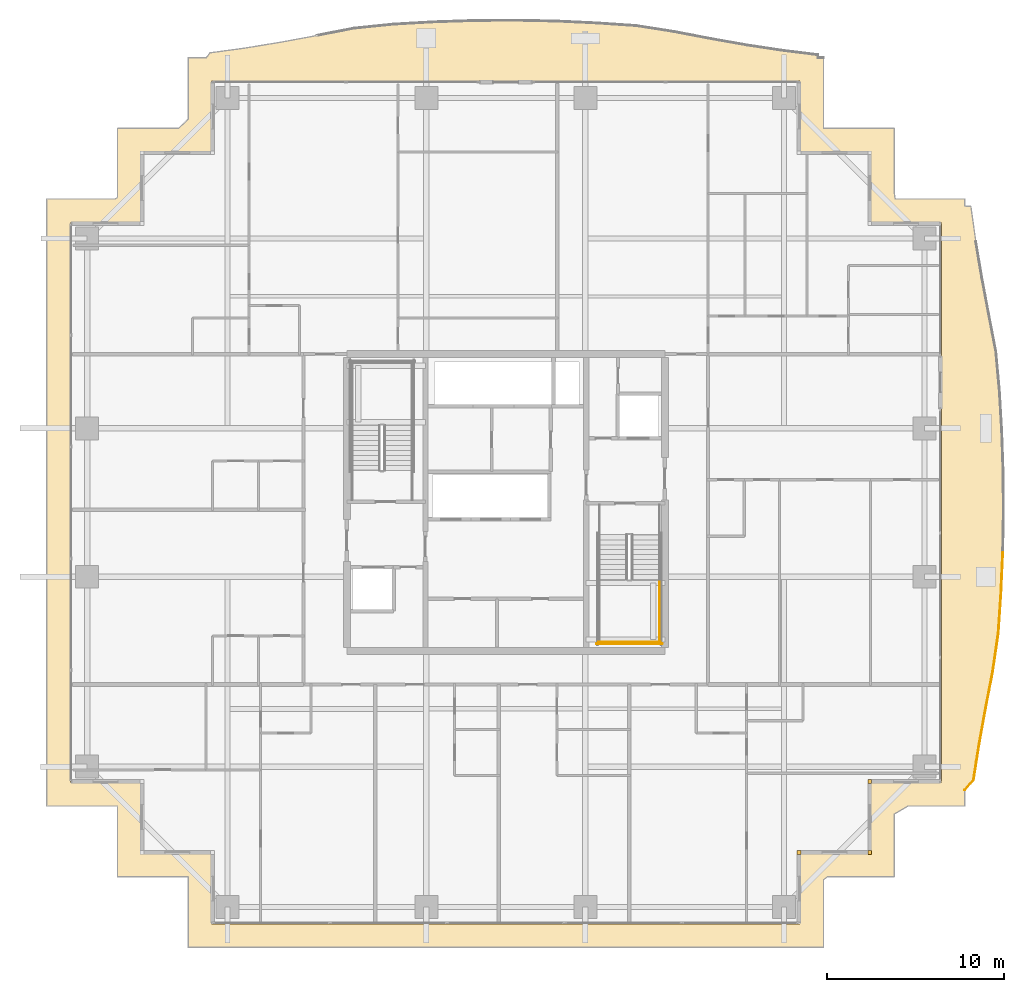
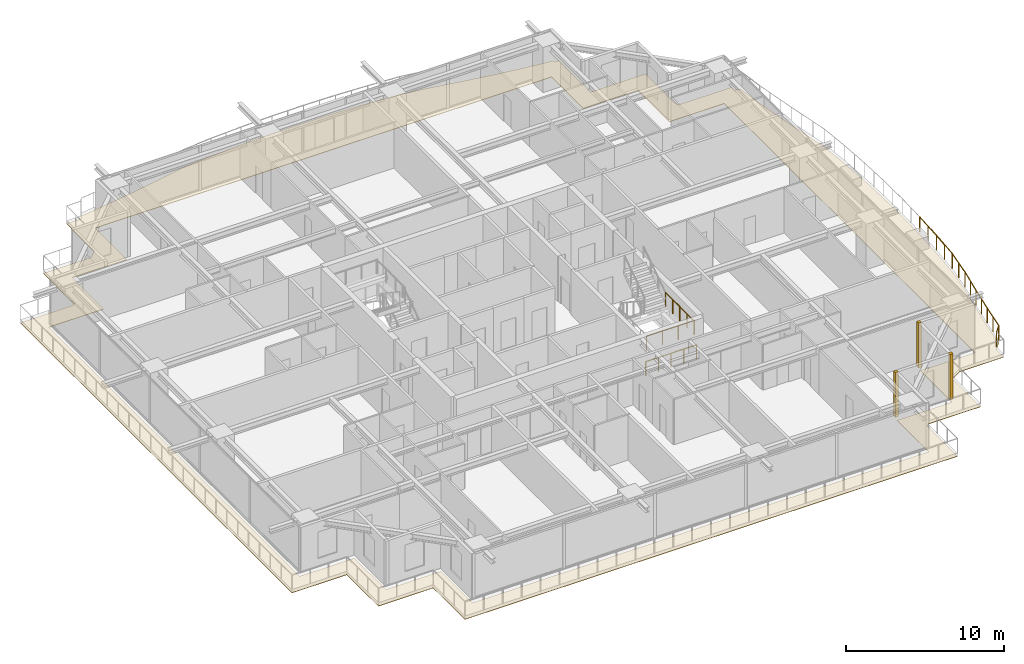
# One storey, part 31 of 33: 4 coverings, 4 railings.
"""IFC4 building model written with IfcOpenShell, lengths in metres."""

from ifc_helpers import new_model, si_unit, direction, frame, origin, origin_2d, place, context, subcontext, project, spatial, polyline, rectangle, circle, outline, extrude, source, transform, mapped, material, layer, layer_set, type_object, element, save


model = new_model("IFC4")

# Units and contexts
model_context = context("Model", 3, precision=1e-05, world=origin(), true_north=direction((0.0, 1.0)))
body_context = subcontext(model_context, "Body", "Model", "MODEL_VIEW")
ifc_project = project(units=[si_unit("LENGTHUNIT", "METRE"), si_unit("AREAUNIT", "SQUARE_METRE"), si_unit("VOLUMEUNIT", "CUBIC_METRE"), si_unit("PLANEANGLEUNIT", "RADIAN"), si_unit("MASSUNIT", "GRAM", prefix="KILO")], contexts=[model_context])

# Site, building, storey
site_placement = place(None, origin())
site = spatial("IfcSite", under=ifc_project, at=site_placement, CompositionType="ELEMENT")
building_placement = place(site_placement, origin())
building = spatial("IfcBuilding", under=site, at=building_placement, Name="Serunith Strait Residences", CompositionType="ELEMENT")
storey_placement = place(building_placement, frame((0.0, 0.0, 150.14990234375)))
storey = spatial("IfcBuildingStorey", under=building, at=storey_placement, Name="L37", CompositionType="ELEMENT", Elevation=150.14990234375)

# Covering
ifc_material_1 = material(Name="Golden Teak Exterior Timber Boarding", Category="wood")
ifc_layer_1 = layer(ifc_material_1, 0.034912109375, Name="Golden Teak Exterior Timber Boarding")
ifc_layer_set_1 = layer_set([ifc_layer_1], Name="Golden Teak Exterior Timber Boarding")
covering_type_1 = type_object("IfcCoveringType", Name="COV-TEAK-SOFFIT", PredefinedType="CEILING", material=ifc_layer_set_1)
covering_placement = place(storey_placement, frame((0.0, 0.0, -0.324951171875)))
element("IfcCovering", 1, at=covering_placement, inside=storey, type_object=covering_type_1, Name="L37 Golden-Teak Balcony Soffit Lining", PredefinedType="CEILING", context=body_context, shape_type="SweptSolid", body=[
    extrude(outline(polyline([(10.419921875, 46.3798828125), (13.880859375, 46.3798828125), (14.419921875, 46.89697265625), (14.419921875, 50.3798828125), (15.448974609375, 50.3798828125), (15.64501953125, 50.6533203125), (17.64501953125, 50.9267578125), (19.6630859375, 51.258056640625), (21.717041015625, 51.638671875), (23.827392578125, 52.0458984375), (26.04931640625, 52.271484375), (28.32373046875, 52.400390625), (30.62353515625, 52.476318359375), (32.93505859375, 52.4912109375), (35.24267578125, 52.444091796875), (37.531494140625, 52.33935546875), (39.789306640625, 52.1875), (41.95361328125, 51.845703125), (44.034912109375, 51.447021484375), (46.0693359375, 51.08837890625), (48.076904296875, 50.78466796875), (50.072998046875, 50.53857421875), (50.072021484375, 50.3798828125), (50.3798828125, 50.3798828125), (50.3798828125, 46.3798828125), (54.3798828125, 46.3798828125), (54.3798828125, 42.80078125), (54.44287109375, 42.3798828125), (58.3798828125, 42.3798828125), (58.3798828125, 41.983642578125), (58.723388671875, 41.964111328125), (59.0078125, 39.964111328125), (59.34814453125, 37.943603515625), (59.735107421875, 35.8857421875), (60.14453125, 33.771484375), (60.3466796875, 31.54296875), (60.479248046875, 29.27099609375), (60.55859375, 26.97412109375), (60.577392578125, 24.66552734375), (60.533447265625, 22.360107421875), (60.43115234375, 20.072509765625), (60.280517578125, 17.814208984375), (59.96484375, 15.63818359375), (59.5615234375, 13.551513671875), (59.193603515625, 11.5126953125), (58.87744140625, 9.503662109375), (58.3798828125, 8.923583984375), (58.3798828125, 8.02001953125), (55.158935546875, 8.02001953125), (54.3798828125, 7.55615234375), (54.3798828125, 4.02001953125), (50.601806640625, 4.02001953125), (50.3798828125, 3.8408203125), (50.3798828125, 0.02001953125), (14.419921875, 0.02001953125), (14.419921875, 4.02001953125), (10.419921875, 4.02001953125), (10.419921875, 8.02001953125), (6.419921875, 8.02001953125), (6.419921875, 42.3798828125), (10.284912109375, 42.3798828125), (10.419921875, 42.47802734375), (10.419921875, 46.3798828125)]), holes=[polyline([(49.054931640625, 1.344970703125), (49.054931640625, 5.344970703125), (53.054931640625, 5.344970703125), (53.054931640625, 9.344970703125), (57.054931640625, 9.344970703125), (57.054931640625, 41.054931640625), (53.054931640625, 41.054931640625), (53.054931640625, 45.054931640625), (49.054931640625, 45.054931640625), (49.054931640625, 49.054931640625), (15.7451171875, 49.054931640625), (15.7451171875, 45.054931640625), (11.7451171875, 45.054931640625), (11.7451171875, 41.054931640625), (7.7451171875, 41.054931640625), (7.7451171875, 9.344970703125), (11.7451171875, 9.344970703125), (11.7451171875, 5.344970703125), (15.7451171875, 5.344970703125), (15.7451171875, 1.344970703125), (49.054931640625, 1.344970703125)])]), origin(), (0.0, 0.0, 1.0), 0.03515625),
])

# Railings
ifc_material_2 = material(Name="Stainless Steel & Laminated Glass Balustrade", Category="steel")
railing_type_1 = type_object("IfcRailingType", Name="RLG-BALC-1150", PredefinedType="BALUSTRADE", material=ifc_material_2)
railing_1_placement = place(storey_placement, frame((60.533447265625, 22.360107421875, -0.0498046875)))
element("IfcRailing", 2, at=railing_1_placement, inside=storey, type_object=railing_type_1, Name="L37 Swirling Balcony Perimeter Balustrade 6", PredefinedType="BALUSTRADE", context=body_context, shape_type="SweptSolid", body=[
    extrude(circle(Radius=0.02392578125, at=origin_2d()), frame((0.0, -0.001953125, 1.1259765625), z_axis=(-0.044672540607, -0.99900168374, 0.0), x_axis=(0.99900168374, -0.044672540607, 0.0)), (0.0, 0.0, 1.0), 2.285888671875),
    extrude(circle(Radius=0.02392578125, at=origin_2d()), frame((-0.1025390625, -2.28955078125, 1.1259765625), z_axis=(-0.066554807519, -0.997782770745, 0.0), x_axis=(0.997782770745, -0.066554807519, 0.0)), (0.0, 0.0, 1.0), 2.25927734375),
    extrude(circle(Radius=0.02392578125, at=origin_2d()), frame((-0.253173828125, -4.5478515625, 1.1259765625), z_axis=(-0.143566189542, -0.98964071724, 0.0), x_axis=(0.98964071724, -0.143566189542, 0.0)), (0.0, 0.0, 1.0), 2.19482421875),
    extrude(circle(Radius=0.02392578125, at=origin_2d()), frame((-0.569091796875, -6.723876953125, 1.1259765625), z_axis=(-0.18977187371, -0.981828211017, 0.0), x_axis=(0.981828211017, -0.18977187371, 0.0)), (0.0, 0.0, 1.0), 2.121337890625),
    extrude(circle(Radius=0.02392578125, at=origin_2d()), frame((-0.97216796875, -8.810546875, 1.1259765625), z_axis=(-0.177589012773, -0.984104741652, 0.0), x_axis=(0.984104741652, -0.177589012773, 0.0)), (0.0, 0.0, 1.0), 2.06787109375),
    extrude(circle(Radius=0.02392578125, at=origin_2d()), frame((-1.340087890625, -10.849365234375, 1.1259765625), z_axis=(-0.155457070185, -0.987842649074, 0.0), x_axis=(0.987842649074, -0.155457070185, 0.0)), (0.0, 0.0, 1.0), 2.02978515625),
    extrude(circle(Radius=0.02392578125, at=origin_2d()), frame((-1.6572265625, -12.85791015625, 1.1259765625), z_axis=(-0.651054417048, -0.759031057363, 0.0), x_axis=(0.759031057363, -0.651054417048, 0.0)), (0.0, 0.0, 1.0), 0.76025390625),
    extrude(circle(Radius=0.02099609375, at=origin_2d()), origin(), (0.0, 0.0, 1.0), 1.099853515625),
    extrude(circle(Radius=0.02099609375, at=origin_2d()), frame((-0.05126953125, -1.143798828125, 0.0)), (0.0, 0.0, 1.0), 1.099853515625),
    extrude(circle(Radius=0.02099609375, at=origin_2d()), frame((-0.102294921875, -2.28759765625, 0.0)), (0.0, 0.0, 1.0), 1.099853515625),
    extrude(circle(Radius=0.02099609375, at=origin_2d()), frame((-0.177734375, -3.416748046875, 0.0)), (0.0, 0.0, 1.0), 1.099853515625),
    extrude(circle(Radius=0.02099609375, at=origin_2d()), frame((-0.2529296875, -4.5458984375, 0.0)), (0.0, 0.0, 1.0), 1.099853515625),
    extrude(circle(Radius=0.02099609375, at=origin_2d()), frame((-0.41064453125, -5.6337890625, 0.0)), (0.0, 0.0, 1.0), 1.099853515625),
    extrude(circle(Radius=0.02099609375, at=origin_2d()), frame((-0.568603515625, -6.721923828125, 0.0)), (0.0, 0.0, 1.0), 1.099853515625),
    extrude(circle(Radius=0.02099609375, at=origin_2d()), frame((-0.770263671875, -7.76513671875, 0.0)), (0.0, 0.0, 1.0), 1.099853515625),
    extrude(circle(Radius=0.02099609375, at=origin_2d()), frame((-0.971923828125, -8.80859375, 0.0)), (0.0, 0.0, 1.0), 1.099853515625),
    extrude(circle(Radius=0.02099609375, at=origin_2d()), frame((-1.15576171875, -9.828125, 0.0)), (0.0, 0.0, 1.0), 1.099853515625),
    extrude(circle(Radius=0.02099609375, at=origin_2d()), frame((-1.33984375, -10.847412109375, 0.0)), (0.0, 0.0, 1.0), 1.099853515625),
    extrude(circle(Radius=0.02099609375, at=origin_2d()), frame((-1.498046875, -11.85205078125, 0.0)), (0.0, 0.0, 1.0), 1.099853515625),
    extrude(circle(Radius=0.02099609375, at=origin_2d()), frame((-1.656005859375, -12.8564453125, 0.0)), (0.0, 0.0, 1.0), 1.099853515625),
    extrude(circle(Radius=0.02099609375, at=origin_2d()), frame((-2.153564453125, -13.4365234375, 0.0)), (0.0, 0.0, 1.0), 1.099853515625),
])
ifc_material_3 = material(Name="Brushed stainless steel 316L", Category="steel")
railing_type_2 = type_object("IfcRailingType", Name="RLG-STAIR-GUARD", PredefinedType="BALUSTRADE", material=ifc_material_3)
railing_2_placement = place(storey_placement, frame((41.10009765625, 20.85009765625, 1.875)))
element("IfcRailing", 3, at=railing_2_placement, inside=storey, type_object=railing_type_2, Name="L37 ST-2 stair guard 4", PredefinedType="BALUSTRADE", context=body_context, shape_type="SweptSolid", body=[
    extrude(circle(Radius=0.02392578125, at=origin_2d()), frame((0.0, -0.001953125, 1.076171875), z_axis=(0.0, -1.0, 0.0), x_axis=(1.0, 0.0, 0.0)), (0.0, 0.0, 1.0), 3.59619140625),
    extrude(circle(Radius=0.02099609375, at=origin_2d()), origin(), (0.0, 0.0, 1.0), 1.050048828125),
    extrude(circle(Radius=0.02099609375, at=origin_2d()), frame((0.0, -0.89990234375, 0.0)), (0.0, 0.0, 1.0), 1.050048828125),
    extrude(circle(Radius=0.02099609375, at=origin_2d()), frame((0.0, -1.800048828125, 0.0)), (0.0, 0.0, 1.0), 1.050048828125),
    extrude(circle(Radius=0.02099609375, at=origin_2d()), frame((0.0, -2.7001953125, 0.0)), (0.0, 0.0, 1.0), 1.050048828125),
    extrude(circle(Radius=0.02099609375, at=origin_2d()), frame((0.0, -3.60009765625, 0.0)), (0.0, 0.0, 1.0), 1.050048828125),
])
railing_3_placement = place(storey_placement, frame((37.64990234375, 17.300048828125, 1.875)))
element("IfcRailing", 4, at=railing_3_placement, inside=storey, type_object=railing_type_2, Name="L37 ST-2 stair guard 5", PredefinedType="BALUSTRADE", context=body_context, shape_type="SweptSolid", body=[
    extrude(circle(Radius=0.02392578125, at=origin_2d()), frame((0.001953125, 0.0, 1.076171875), z_axis=(1.0, 0.0, 0.0), x_axis=(0.0, 1.0, 0.0)), (0.0, 0.0, 1.0), 3.49609375),
    extrude(circle(Radius=0.02099609375, at=origin_2d()), origin(), (0.0, 0.0, 1.0), 1.050048828125),
    extrude(circle(Radius=0.02099609375, at=origin_2d()), frame((1.166748046875, 0.0, 0.0)), (0.0, 0.0, 1.0), 1.050048828125),
    extrude(circle(Radius=0.02099609375, at=origin_2d()), frame((2.333251953125, 0.0, 0.0)), (0.0, 0.0, 1.0), 1.050048828125),
    extrude(circle(Radius=0.02099609375, at=origin_2d()), frame((3.5, 0.0, 0.0)), (0.0, 0.0, 1.0), 1.050048828125),
])
railing_4_placement = place(storey_placement, frame((37.550048828125, 17.199951171875, 0.0)))
element("IfcRailing", 5, at=railing_4_placement, inside=storey, type_object=railing_type_2, Name="L37 ST-2 stair guard 12", PredefinedType="BALUSTRADE", context=body_context, shape_type="SweptSolid", body=[
    extrude(circle(Radius=0.02392578125, at=origin_2d()), frame((0.001953125, 0.0, 1.076171875), z_axis=(1.0, 0.0, 0.0), x_axis=(0.0, 1.0, 0.0)), (0.0, 0.0, 1.0), 3.696044921875),
    extrude(circle(Radius=0.02099609375, at=origin_2d()), origin(), (0.0, 0.0, 1.0), 1.050048828125),
    extrude(circle(Radius=0.02099609375, at=origin_2d()), frame((0.925048828125, 0.0, 0.0)), (0.0, 0.0, 1.0), 1.050048828125),
    extrude(circle(Radius=0.02099609375, at=origin_2d()), frame((1.85009765625, 0.0, 0.0)), (0.0, 0.0, 1.0), 1.050048828125),
    extrude(circle(Radius=0.02099609375, at=origin_2d()), frame((2.77490234375, 0.0, 0.0)), (0.0, 0.0, 1.0), 1.050048828125),
    extrude(circle(Radius=0.02099609375, at=origin_2d()), frame((3.699951171875, 0.0, 0.0)), (0.0, 0.0, 1.0), 1.050048828125),
])

# Coverings
ifc_material_4 = material(Name="Pale-Champagne Anodised Aluminium", Category="aluminium")
ifc_layer_2 = layer(ifc_material_4, 0.219970703125, Name="Pale-Champagne Anodised Aluminium")
ifc_layer_set_2 = layer_set([ifc_layer_2], Name="Pale-Champagne Anodised Aluminium")
covering_type_2 = type_object("IfcCoveringType", Name="COV-CORN-TRIM", PredefinedType="CLADDING", material=ifc_layer_set_2)
shared_shape = source(origin(), body_context, "Body", "SweptSolid", [
    extrude(rectangle(XDim=0.221923828125, YDim=0.221923828125, at=origin_2d()), origin(), (0.0, 0.0, 1.0), 3.47509765625),
])
for number, where, z_axis, x_axis, name in (
    (6, (49.0, 5.39990234375, 0.0), (0.0, 0.0, 1.0), (1.0, 0.0, 0.0), "L37 Girih Serrated Corner Trim Post 02"),
    (7, (53.0, 5.39990234375, 0.0), (0.0, 0.0, 1.0), (1.0, 0.0, 0.0), "L37 Girih Serrated Corner Trim Post 03"),
    (8, (53.0, 9.39990234375, 0.0), (0.0, 0.0, 1.0), (1.0, 0.0, 0.0), "L37 Girih Serrated Corner Trim Post 04"),
):
    element("IfcCovering", number, at=place(storey_placement, frame(where, z_axis=z_axis, x_axis=x_axis)), inside=storey, type_object=covering_type_2, Name=name, PredefinedType="CLADDING", context=body_context, shape_type="MappedRepresentation", body=[
        mapped(shared_shape, transform((0.0, 0.0, 0.0), scale=1.0)),
    ])

save(model, "model.ifc")
